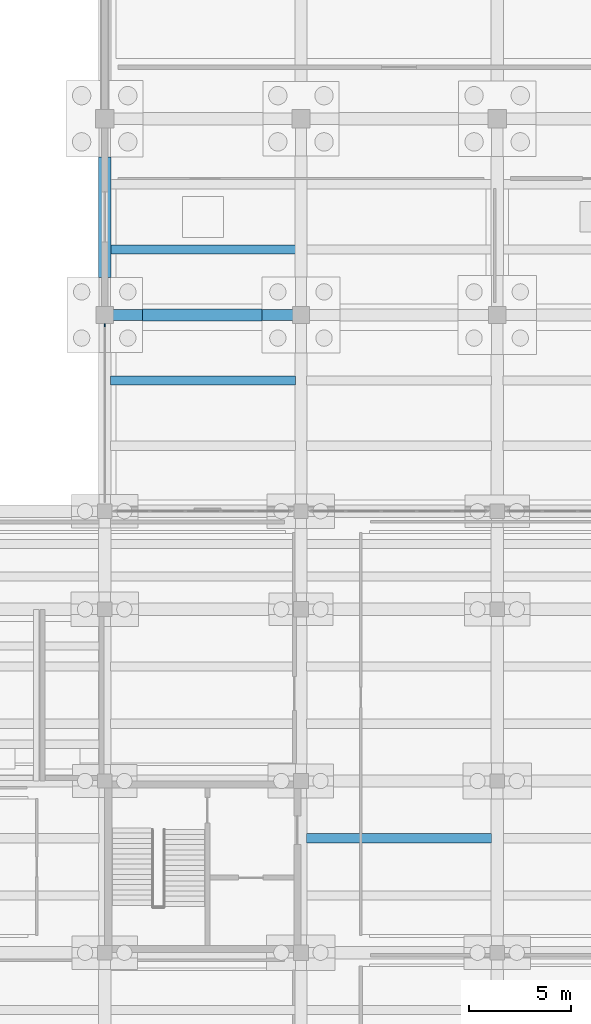
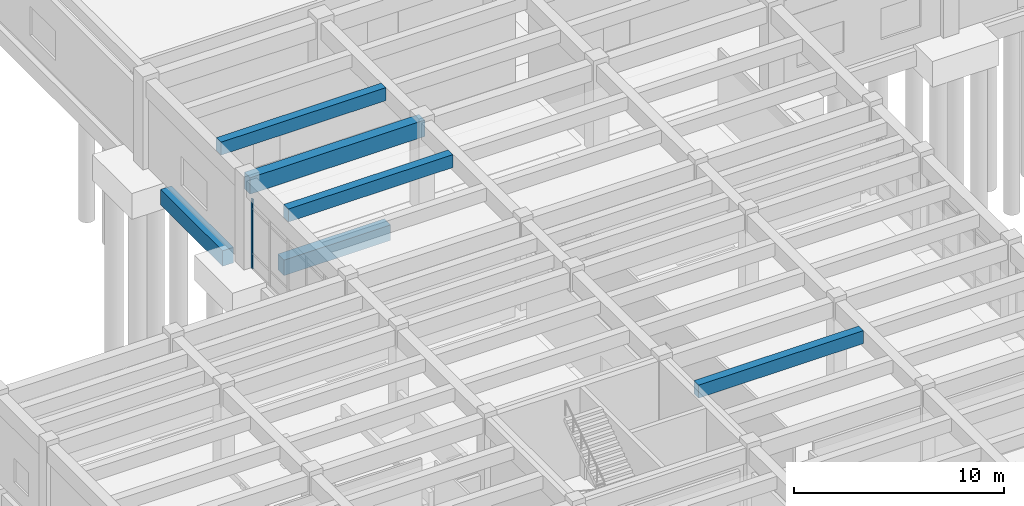
# One storey, part 30 of 102: 6 beams, 1 member, 1 element without a shape of its own.
"""IFC4 building model written with IfcOpenShell, lengths in metres."""

import ifcopenshell
import ifcopenshell.guid

model = None  # the IFC model being written
_history = None  # IfcOwnerHistory: only IFC2X3 demands one
_inside = {}  # id of a spatial element -> (the spatial element, [elements in it])
_under = {}  # id of a project, library or spatial element -> (it, [spatial elements below it])
_declared = {}  # id of a project -> (the project, [libraries it declares])
_typed = {}  # id of a type object -> (the type object, [elements of that type])
_made_of = {}  # id of a material, layer set ... -> (it, [elements and type objects made of it])


def new_model(schema):
    """Start an empty IFC model of exactly this schema.

    Asked for "IFC4X3", IfcOpenShell would pick the latest addendum, in which some entities
    have other attributes; the version numbers below select the first issue.
    IFC2X3 requires an IfcOwnerHistory on every rooted entity: one is made here for all.
    """
    global model, _history
    if schema == "IFC4X3":
        model = ifcopenshell.file(schema_version=(4, 3, 0, 0))
    else:
        model = ifcopenshell.file(schema=schema)
    _inside.clear()
    _under.clear()
    _declared.clear()
    _typed.clear()
    _made_of.clear()
    _history = None
    if model.schema == "IFC2X3":
        org = make("IfcOrganization", Name="unknown")
        user = make(
            "IfcPersonAndOrganization",
            ThePerson=make("IfcPerson", FamilyName="unknown"),
            TheOrganization=org,
        )
        app = make(
            "IfcApplication",
            ApplicationDeveloper=org,
            Version="unknown",
            ApplicationFullName="unknown",
            ApplicationIdentifier="unknown",
        )
        _history = make(
            "IfcOwnerHistory",
            OwningUser=user,
            OwningApplication=app,
            ChangeAction="ADDED",
            CreationDate=0,
        )
    return model


def make(cls, **values):
    """One entity of the class cls with the attributes given. An attribute that is None is left unset."""
    return model.create_entity(
        cls, **{name: value for name, value in values.items() if value is not None}
    )


def rooted(cls, **values):
    """An entity with a GlobalId (a new one), such as an element, a storey or a relation."""
    return make(cls, GlobalId=ifcopenshell.guid.new(), OwnerHistory=_history, **values)


def si_unit(unit_type, name, prefix=None):
    """IfcSIUnit, for example si_unit("LENGTHUNIT", "METRE", prefix="MILLI")."""
    return make("IfcSIUnit", UnitType=unit_type, Prefix=prefix, Name=name)


def assignment(units):
    """IfcUnitAssignment: the units of a project."""
    return None if units is None else make("IfcUnitAssignment", Units=units)


def point(xyz):
    """IfcCartesianPoint."""
    return None if xyz is None else make("IfcCartesianPoint", Coordinates=xyz)


def direction(xyz):
    """IfcDirection."""
    return None if xyz is None else make("IfcDirection", DirectionRatios=xyz)


def frame(location, z_axis=None, x_axis=None):
    """IfcAxis2Placement3D, a coordinate frame: its origin and axes. An axis left out is left unset."""
    return make(
        "IfcAxis2Placement3D",
        Location=point(location),
        Axis=direction(z_axis),
        RefDirection=direction(x_axis),
    )


def frame_2d(location, x_axis=None):
    """IfcAxis2Placement2D, a coordinate frame in the plane: its origin and x axis."""
    return make(
        "IfcAxis2Placement2D", Location=point(location), RefDirection=direction(x_axis)
    )


def origin():
    """The frame at (0, 0, 0) with its axes left unset."""
    return frame((0.0, 0.0, 0.0))


def origin_2d():
    """The frame at (0, 0) in the plane with its x axis left unset."""
    return frame_2d((0.0, 0.0))


def place(relative_to, where):
    """IfcLocalPlacement: puts the frame where relative to a parent placement (None: the world)."""
    return make(
        "IfcLocalPlacement", PlacementRelTo=relative_to, RelativePlacement=where
    )


def context(
    kind, dimensions, precision=None, world=None, true_north=None, identifier=None
):
    """IfcGeometricRepresentationContext, for example the 3D "Model" context."""
    return make(
        "IfcGeometricRepresentationContext",
        ContextIdentifier=identifier,
        ContextType=kind,
        CoordinateSpaceDimension=dimensions,
        Precision=precision,
        WorldCoordinateSystem=world,
        TrueNorth=true_north,
    )


def subcontext(parent, identifier, kind, view, scale=None):
    """IfcGeometricRepresentationSubContext, for example "Body" below "Model"."""
    return make(
        "IfcGeometricRepresentationSubContext",
        ContextIdentifier=identifier,
        ContextType=kind,
        ParentContext=parent,
        TargetScale=scale,
        TargetView=view,
    )


def project(units=None, contexts=None):
    """IfcProject with its units and contexts."""
    return rooted(
        "IfcProject",
        Name="project",
        RepresentationContexts=contexts,
        UnitsInContext=assignment(units),
    )


def spatial(cls, under=None, at=None, **own):
    """A site, building, storey or space (cls), placed at a placement, below another one or the project."""
    s = rooted(cls, ObjectPlacement=at, **own)
    if under is not None:
        _under.setdefault(under.id(), (under, []))[1].append(s)
    return s


def profile(cls, at=None, kind="AREA", **sizes):
    """A parametric profile (cls). Its sizes go by their IFC names, for example OverallWidth=200.0."""
    return make(cls, ProfileType=kind, Position=at, **sizes)


def rectangle(**sizes):
    """IfcRectangleProfileDef."""
    return profile("IfcRectangleProfileDef", **sizes)


def extrude(swept, where, along, depth):
    """IfcExtrudedAreaSolid: the profile swept, set in the frame where, extruded along a direction by depth."""
    return make(
        "IfcExtrudedAreaSolid",
        SweptArea=swept,
        Position=where,
        ExtrudedDirection=direction(along),
        Depth=depth,
    )


def shape(context_of_items, identifier, shape_type, items):
    """IfcShapeRepresentation: the items that make up one representation, for example the "Body"."""
    return make(
        "IfcShapeRepresentation",
        ContextOfItems=context_of_items,
        RepresentationIdentifier=identifier,
        RepresentationType=shape_type,
        Items=items,
    )


def material(Name=None, Category=None):
    """IfcMaterial."""
    return make("IfcMaterial", Name=Name, Category=Category)


def layer(
    of_material, thickness, ventilated=None, Name=None, Category=None, Priority=None
):
    """IfcMaterialLayer: one layer of a wall or slab, of a material (None: an air gap)."""
    return make(
        "IfcMaterialLayer",
        Material=of_material,
        LayerThickness=thickness,
        IsVentilated=ventilated,
        Name=Name,
        Category=Category,
        Priority=Priority,
    )


def layer_set(layers, Name=None):
    """IfcMaterialLayerSet."""
    return make("IfcMaterialLayerSet", MaterialLayers=layers, LayerSetName=Name)


def material_profile(
    of_material, cross_section, Name=None, Category=None, Priority=None
):
    """IfcMaterialProfile: a cross section and its material."""
    return make(
        "IfcMaterialProfile",
        Name=Name,
        Material=of_material,
        Profile=cross_section,
        Priority=Priority,
        Category=Category,
    )


def profile_set(profiles, Name=None, composite=None):
    """IfcMaterialProfileSet."""
    return make(
        "IfcMaterialProfileSet",
        Name=Name,
        MaterialProfiles=profiles,
        CompositeProfile=composite,
    )


def made_of(thing, what):
    """Note that an element or type object is made of a material, layer set ...; save() writes the relation."""
    if what is not None:
        _made_of.setdefault(what.id(), (what, []))[1].append(thing)
    return thing


def type_object(cls, material=None, **own):
    """A type object (cls), such as IfcWallType, which elements share."""
    return made_of(rooted(cls, **own), material)


def element(
    cls,
    number,
    at=None,
    inside=None,
    cuts=None,
    type_object=None,
    material=None,
    context=None,
    identifier="Body",
    shape_type=None,
    held_by="IfcProductDefinitionShape",
    body=None,
    shapes=None,
    **own,
):
    """One element of the class cls, such as IfcWall. Its Tag is "e" and its number.

    at: its placement. inside: the storey or other place that contains it. cuts: it is an
    opening in that element (IfcRelVoidsElement). A single representation is given by context,
    identifier, shape_type and body (its items); several are given by shapes. held_by: the class
    of the entity that holds the representations. save() writes the other relations.
    """
    e = rooted(cls, Tag="e%d" % number, ObjectPlacement=at, **own)
    if body is not None:
        shapes = [shape(context, identifier, shape_type, body)]
    if shapes is not None:
        e.Representation = make(held_by, Representations=shapes)
    if inside is not None:
        _inside.setdefault(inside.id(), (inside, []))[1].append(e)
    if cuts is not None:
        rooted(
            "IfcRelVoidsElement", RelatingBuildingElement=cuts, RelatedOpeningElement=e
        )
    if type_object is not None:
        _typed.setdefault(type_object.id(), (type_object, []))[1].append(e)
    return made_of(e, material)


def aggregate(whole, parts):
    """IfcRelAggregates: a whole, such as a stair, and the parts it consists of."""
    return rooted("IfcRelAggregates", RelatingObject=whole, RelatedObjects=parts)


def save(model, path):
    """Write the relations noted so far, then the file.

    IfcRelAggregates (storeys below a building ...), IfcRelContainedInSpatialStructure (elements
    in a storey), IfcRelDefinesByType, IfcRelAssociatesMaterial and IfcRelDeclares: one each for
    every whole, place, type object, material and project.
    """
    for whole, parts in _under.values():
        aggregate(whole, parts)
    for where, things in _inside.values():
        rooted(
            "IfcRelContainedInSpatialStructure",
            RelatedElements=things,
            RelatingStructure=where,
        )
    for kind, things in _typed.values():
        rooted("IfcRelDefinesByType", RelatedObjects=things, RelatingType=kind)
    for what, things in _made_of.values():
        rooted("IfcRelAssociatesMaterial", RelatedObjects=things, RelatingMaterial=what)
    for by, libraries in _declared.values():
        rooted("IfcRelDeclares", RelatingContext=by, RelatedDefinitions=libraries)
    model.write(path)


model = new_model("IFC4")

# Units and contexts
model_context = context("Model", 3, precision=1e-05, world=origin(), true_north=direction((0.0, 1.0)))
body_context = subcontext(model_context, "Body", "Model", "MODEL_VIEW")
ifc_project = project(units=[si_unit("LENGTHUNIT", "METRE"), si_unit("AREAUNIT", "SQUARE_METRE"), si_unit("VOLUMEUNIT", "CUBIC_METRE"), si_unit("PLANEANGLEUNIT", "RADIAN"), si_unit("MASSUNIT", "GRAM", prefix="KILO")], contexts=[model_context])

# Site, building, storey
site_placement = place(None, origin())
site = spatial("IfcSite", under=ifc_project, at=site_placement, CompositionType="ELEMENT")
building_placement = place(site_placement, origin())
building = spatial("IfcBuilding", under=site, at=building_placement, Name="Kolvemor Railside Polytechnic", CompositionType="ELEMENT")
storey_placement = place(building_placement, origin())
storey = spatial("IfcBuildingStorey", under=building, at=storey_placement, Name="L00", CompositionType="ELEMENT", Elevation=0.0)

# Beams
ifc_material_1 = material(Name="Concrete C40/50", Category="concrete")
ifc_material_profile_1 = material_profile(ifc_material_1, rectangle(XDim=0.550048828125, YDim=0.949951171875, at=origin_2d()), Name="RC550x950")
ifc_profile_set_1 = profile_set([ifc_material_profile_1], Name="Concrete C40/50")
beam_type_1 = type_object("IfcBeamType", Name="BM-RC-GIRD", PredefinedType="BEAM", material=ifc_profile_set_1)
beam_1_placement = place(storey_placement, frame((19.199951171875, 91.199951171875, 4.635009765625), z_axis=(1.0, 0.0, 0.0), x_axis=(0.0, 1.0, 0.0)))
element("IfcBeam", 1, at=beam_1_placement, inside=storey, type_object=beam_type_1, Name="Primary Girder L01-GX 0491", PredefinedType="BEAM", context=body_context, shape_type="SweptSolid", body=[
    extrude(rectangle(XDim=0.550048828125, YDim=0.949951171875, at=origin_2d()), origin(), (0.0, 0.0, 1.0), 9.60009765625),
])
ifc_material_2 = material(Name="Concrete C40/50", Category="concrete")
ifc_material_profile_2 = material_profile(ifc_material_2, rectangle(XDim=0.449951171875, YDim=0.75, at=origin_2d()), Name="RC450x750")
ifc_profile_set_2 = profile_set([ifc_material_profile_2], Name="Concrete C40/50")
beam_type_2 = type_object("IfcBeamType", Name="BM-RC-SEC", PredefinedType="JOIST", material=ifc_profile_set_2)
beam_2_placement = place(storey_placement, frame((29.074951171875, 65.60009765625, 4.735107421875), z_axis=(1.0, 0.0, 0.0), x_axis=(0.0, 1.0, 0.0)))
element("IfcBeam", 2, at=beam_2_placement, inside=storey, type_object=beam_type_2, Name="Floor Joist L01-J0168", PredefinedType="JOIST", context=body_context, shape_type="SweptSolid", body=[
    extrude(rectangle(XDim=0.449951171875, YDim=0.75, at=origin_2d()), origin(), (0.0, 0.0, 1.0), 9.050048828125),
])
for number, where, z_axis, x_axis, name in (
    (3, (19.47509765625, 94.39990234375, 4.735107421875), (1.0, 0.0, 0.0), (0.0, 1.0, 0.0), "Floor Joist L01-J0534"),
    (4, (19.47509765625, 88.0, 4.735107421875), (1.0, 0.0, 0.0), (0.0, 1.0, 0.0), "Floor Joist L01-J1053"),
):
    element("IfcBeam", number, at=place(storey_placement, frame(where, z_axis=z_axis, x_axis=x_axis)), inside=storey, type_object=beam_type_2, Name=name, PredefinedType="JOIST", context=body_context, shape_type="SweptSolid", body=[
        extrude(rectangle(XDim=0.449951171875, YDim=0.75, at=origin_2d()), origin(), (0.0, 0.0, 1.0), 9.0498046875),
    ])
ifc_material_3 = material(Name="Concrete C40/50", Category="concrete")
ifc_material_profile_3 = material_profile(ifc_material_3, rectangle(XDim=0.60009765625, YDim=0.89990234375, at=origin_2d()), Name="RC600x900")
ifc_profile_set_3 = profile_set([ifc_material_profile_3], Name="Concrete C40/50")
beam_type_3 = type_object("IfcBeamType", Name="BM-RC-TIE", PredefinedType="BEAM", material=ifc_profile_set_3)
beam_3_placement = place(storey_placement, frame((21.052001953125, 91.199951171875, -0.75), z_axis=(1.0, 0.0, 0.0), x_axis=(0.0, 1.0, 0.0)))
element("IfcBeam", 5, at=beam_3_placement, inside=storey, type_object=beam_type_3, Name="Ground Tie Beam GTB-X185", PredefinedType="BEAM", context=body_context, shape_type="SweptSolid", body=[
    extrude(rectangle(XDim=0.60009765625, YDim=0.89990234375, at=origin_2d()), origin(), (0.0, 0.0, 1.0), 5.845947265625),
])
beam_4_placement = place(storey_placement, frame((19.199951171875, 93.027099609375, -0.75), z_axis=(0.0, 1.0, 0.0), x_axis=(-1.0, 0.0, 0.0)))
element("IfcBeam", 6, at=beam_4_placement, inside=storey, type_object=beam_type_3, Name="Ground Tie Beam GTB-Y259", PredefinedType="BEAM", context=body_context, shape_type="SweptSolid", body=[
    extrude(rectangle(XDim=0.60009765625, YDim=0.89990234375, at=origin_2d()), origin(), (0.0, 0.0, 1.0), 5.89599609375),
])

# Curtain wall, member
ifc_material_4 = material(Name="Anodised marine aluminium and laminated low-E glass", Category="aluminium")
ifc_layer = layer(ifc_material_4, 0.179931640625, Name="CW-UNIT-STD")
ifc_layer_set = layer_set([ifc_layer], Name="Anodised marine aluminium and laminated low-E glass")
curtain_wall_type = type_object("IfcCurtainWallType", Name="CW-UNIT-STD", PredefinedType="USERDEFINED", material=ifc_layer_set)
curtain_wall_placement = place(storey_placement, origin())
curtain_wall = element("IfcCurtainWall", 7, at=curtain_wall_placement, inside=storey, type_object=curtain_wall_type, Name="Curtain Wall L00-034", ObjectType="UNITISED CURTAIN WALL", PredefinedType="USERDEFINED")
ifc_material_5 = material(Name="Anodised marine aluminium 6063-T6", Category="aluminium")
ifc_material_profile_4 = material_profile(ifc_material_5, rectangle(XDim=0.06494140625, YDim=0.14990234375, at=origin_2d()), Name="CW-MUL-65x150")
ifc_profile_set_4 = profile_set([ifc_material_profile_4], Name="Anodised marine aluminium 6063-T6")
member_type = type_object("IfcMemberType", Name="CWM-65x150", PredefinedType="MULLION", material=ifc_profile_set_4)
member_placement = place(storey_placement, frame((19.199951171875, 90.697509765625, 0.0), z_axis=(0.0, 0.0, 1.0), x_axis=(1.0, 0.0, 0.0)))
member = element("IfcMember", 8, at=member_placement, type_object=member_type, Name="CW-STD mullion 1", PredefinedType="MULLION", context=body_context, shape_type="SweptSolid", body=[
    extrude(rectangle(XDim=0.06494140625, YDim=0.14990234375, at=origin_2d()), origin(), (0.0, 0.0, 1.0), 4.0400390625),
])
aggregate(curtain_wall, [member])

save(model, "model.ifc")
